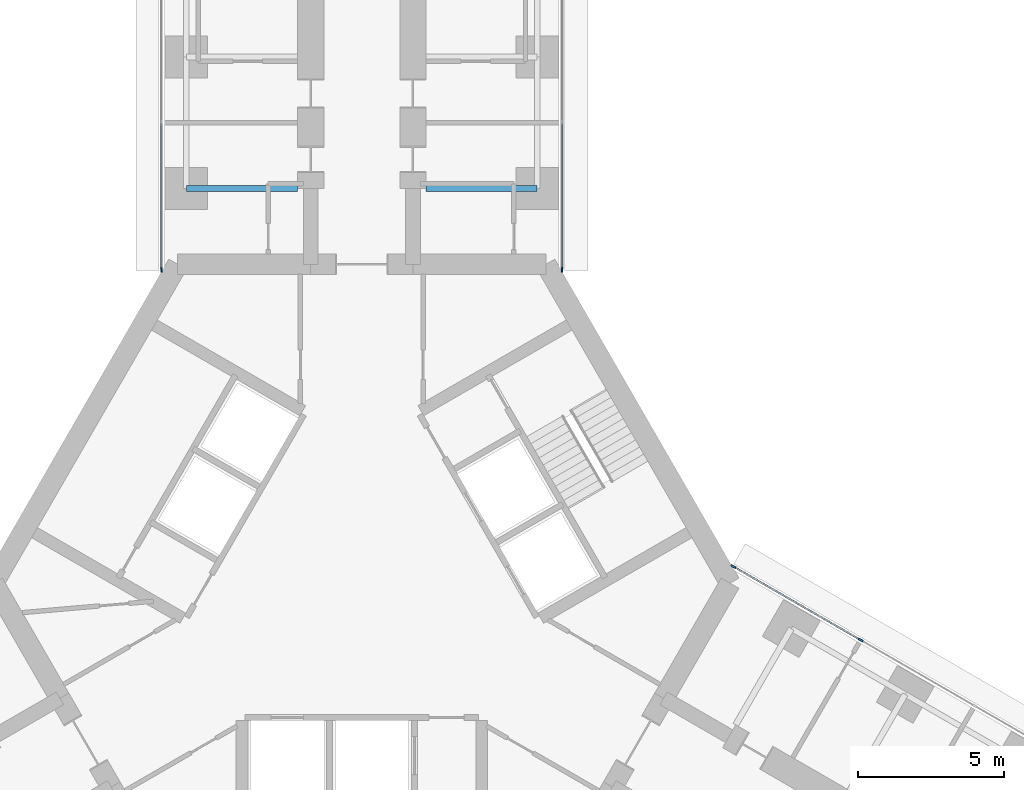
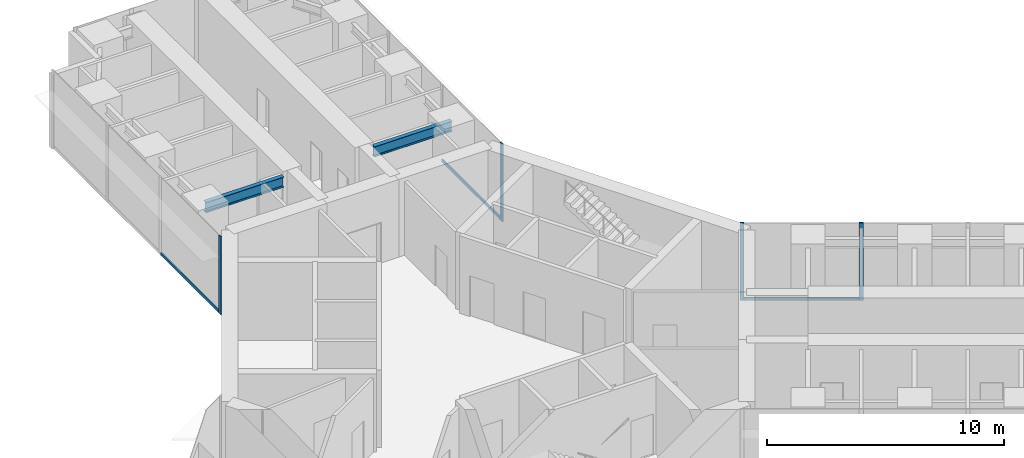
# One storey, part 11 of 24: 7 members, 2 beams, 3 elements without a shape of their own.
"""IFC4 building model written with IfcOpenShell, lengths in metres."""

from ifc_helpers import new_model, si_unit, direction, frame, origin, origin_2d, place, context, subcontext, project, spatial, rectangle, i_section, extrude, material, material_profile, profile_set, type_object, element, aggregate, save


model = new_model("IFC4")

# Units and contexts
model_context = context("Model", 3, precision=1e-05, world=origin(), true_north=direction((0.0, 1.0)))
body_context = subcontext(model_context, "Body", "Model", "MODEL_VIEW")
ifc_project = project(units=[si_unit("LENGTHUNIT", "METRE"), si_unit("AREAUNIT", "SQUARE_METRE"), si_unit("VOLUMEUNIT", "CUBIC_METRE"), si_unit("PLANEANGLEUNIT", "RADIAN"), si_unit("MASSUNIT", "GRAM", prefix="KILO")], contexts=[model_context])

# Site, building, storey
site_placement = place(None, origin())
site = spatial("IfcSite", under=ifc_project, at=site_placement, CompositionType="ELEMENT")
building_placement = place(site_placement, origin())
building = spatial("IfcBuilding", under=site, at=building_placement, Name="Upepo Twin Towers", CompositionType="ELEMENT")
storey_placement = place(building_placement, frame((0.0, 0.0, 68.5)))
storey = spatial("IfcBuildingStorey", under=building, at=storey_placement, Name="L16", CompositionType="ELEMENT", Elevation=68.5)

# Beams
ifc_material_1 = material(Name="Steel S355", Category="steel")
ifc_material_profile_1 = material_profile(ifc_material_1, i_section(OverallWidth=0.209228515625, OverallDepth=0.533203125, WebThickness=0.010009765625, FlangeThickness=0.015625, FilletRadius=0.0126953125, at=origin_2d()), Name="UB 533x210x92")
ifc_profile_set_1 = profile_set([ifc_material_profile_1], Name="Steel S355")
beam_type = type_object("IfcBeamType", Name="Beam UB 533x210x92", PredefinedType="BEAM", material=ifc_profile_set_1)
for number, where, z_axis, x_axis, name in (
    (1, (52.5, -4.5, 3.533447265625), (1.0, 0.0, 0.0), (0.0, 1.0, 0.0), "T2 girder AL at 13.5"),
    (2, (64.5, -4.5, 3.533447265625), (-1.0, 0.0, 0.0), (0.0, -1.0, 0.0), "T2 girder AR at 13.5"),
):
    element("IfcBeam", number, at=place(storey_placement, frame(where, z_axis=z_axis, x_axis=x_axis)), inside=storey, type_object=beam_type, Name=name, PredefinedType="BEAM", context=body_context, shape_type="SweptSolid", body=[
        extrude(i_section(OverallWidth=0.209228515625, OverallDepth=0.533203125, WebThickness=0.010009765625, FlangeThickness=0.015625, FilletRadius=0.0126953125, at=origin_2d()), origin(), (0.0, 0.0, 1.0), 3.800048828125),
    ])

# Curtain wall, member
ifc_material_2 = material(Name="Aluminium and fritted glass", Category="aluminium")
curtain_wall_type = type_object("IfcCurtainWallType", Name="Tower curtain wall TW1, fritted glass", PredefinedType="NOTDEFINED", material=ifc_material_2)
curtain_wall_1_placement = place(storey_placement, origin())
curtain_wall_1 = element("IfcCurtainWall", 3, at=curtain_wall_1_placement, inside=storey, type_object=curtain_wall_type, Name="T2 L16 wing A flank L curtain wall", PredefinedType="NOTDEFINED")
ifc_material_3 = material(Name="Aluminium mullion", Category="aluminium")
ifc_material_profile_2 = material_profile(ifc_material_3, rectangle(XDim=0.06494140625, YDim=0.179931640625, at=origin_2d()), Name="MULLION 65x180")
ifc_profile_set_2 = profile_set([ifc_material_profile_2], Name="Aluminium mullion")
member_type_1 = type_object("IfcMemberType", Name="Mullion 65x180 TW1", PredefinedType="MULLION", material=ifc_profile_set_2)
member_1_placement = place(storey_placement, frame((51.64990234375, -7.2802734375, 0.0), z_axis=(0.0, 0.0, 1.0), x_axis=(-1.0, 0.0, 0.0)))
member_1 = element("IfcMember", 4, at=member_1_placement, type_object=member_type_1, Name="T2 L16 wing A flank L curtain wall mullion 1", PredefinedType="MULLION", context=body_context, shape_type="SweptSolid", body=[
    extrude(rectangle(XDim=0.06494140625, YDim=0.179931640625, at=origin_2d()), origin(), (0.0, 0.0, 1.0), 4.0),
])

curtain_wall_2_placement = place(storey_placement, origin())
curtain_wall_2 = element("IfcCurtainWall", 5, at=curtain_wall_2_placement, inside=storey, type_object=curtain_wall_type, Name="T2 L16 wing A flank R curtain wall", PredefinedType="NOTDEFINED")
member_2_placement = place(storey_placement, frame((65.35009765625, -7.2802734375, 0.0), z_axis=(0.0, 0.0, 1.0), x_axis=(1.0, 0.0, 0.0)))
member_2 = element("IfcMember", 6, at=member_2_placement, type_object=member_type_1, Name="T2 L16 wing A flank R curtain wall mullion 4", PredefinedType="MULLION", context=body_context, shape_type="SweptSolid", body=[
    extrude(rectangle(XDim=0.06494140625, YDim=0.179931640625, at=origin_2d()), origin(), (0.0, 0.0, 1.0), 4.0),
])

# Curtain wall, members
curtain_wall_3_placement = place(storey_placement, origin())
curtain_wall_3 = element("IfcCurtainWall", 7, at=curtain_wall_3_placement, inside=storey, type_object=curtain_wall_type, Name="T2 L16 wing C flank L curtain wall", PredefinedType="NOTDEFINED")
member_3_placement = place(storey_placement, frame((71.20849609375, -17.427490234375, 0.0), z_axis=(0.0, 0.0, 1.0), x_axis=(0.500000024426, 0.866025389682, 0.0)))
member_3 = element("IfcMember", 8, at=member_3_placement, type_object=member_type_1, Name="T2 L16 wing C flank L curtain wall mullion 1", PredefinedType="MULLION", context=body_context, shape_type="SweptSolid", body=[
    extrude(rectangle(XDim=0.06494140625, YDim=0.179931640625, at=origin_2d()), origin(), (0.0, 0.0, 1.0), 4.0),
])
member_4_placement = place(storey_placement, frame((75.56494140625, -19.942626953125, 0.0), z_axis=(0.0, 0.0, 1.0), x_axis=(0.500000024426, 0.866025389682, 0.0)))
member_4 = element("IfcMember", 9, at=member_4_placement, type_object=member_type_1, Name="T2 L16 wing C flank L curtain wall mullion 2", PredefinedType="MULLION", context=body_context, shape_type="SweptSolid", body=[
    extrude(rectangle(XDim=0.06494140625, YDim=0.179931640625, at=origin_2d()), origin(), (0.0, 0.0, 1.0), 4.0),
])

# Member
ifc_material_4 = material(Name="Aluminium transom", Category="aluminium")
ifc_material_profile_3 = material_profile(ifc_material_4, rectangle(XDim=0.06494140625, YDim=0.14990234375, at=origin_2d()), Name="TRANSOM 65x150")
ifc_profile_set_3 = profile_set([ifc_material_profile_3], Name="Aluminium transom")
member_type_2 = type_object("IfcMemberType", Name="Transom 65x150 TW1", PredefinedType="USERDEFINED", material=ifc_profile_set_3)
member_5_placement = place(storey_placement, frame((51.64990234375, -7.247802734375, 0.074951171875), z_axis=(0.0, 1.0, 0.0), x_axis=(-1.0, 0.0, 0.0)))
member_5 = element("IfcMember", 10, at=member_5_placement, type_object=member_type_2, Name="T2 L16 wing A flank L curtain wall transom 1", ObjectType="TRANSOM", PredefinedType="USERDEFINED", context=body_context, shape_type="SweptSolid", body=[
    extrude(rectangle(XDim=0.06494140625, YDim=0.14990234375, at=origin_2d()), origin(), (0.0, 0.0, 1.0), 4.96533203125),
])

aggregate(curtain_wall_1, [member_1, member_5])

member_6_placement = place(storey_placement, frame((65.35009765625, -2.282470703125, 0.074951171875), z_axis=(0.0, -1.0, 0.0), x_axis=(1.0, 0.0, 0.0)))
member_6 = element("IfcMember", 11, at=member_6_placement, type_object=member_type_2, Name="T2 L16 wing A flank R curtain wall transom 3", ObjectType="TRANSOM", PredefinedType="USERDEFINED", context=body_context, shape_type="SweptSolid", body=[
    extrude(rectangle(XDim=0.06494140625, YDim=0.14990234375, at=origin_2d()), origin(), (0.0, 0.0, 1.0), 4.96533203125),
])

aggregate(curtain_wall_2, [member_2, member_6])

member_7_placement = place(storey_placement, frame((71.236572265625, -17.44384765625, 0.074951171875), z_axis=(0.866034933967, -0.499983492876, 0.0), x_axis=(0.499983492876, 0.866034933967, 0.0)))
member_7 = element("IfcMember", 12, at=member_7_placement, type_object=member_type_2, Name="T2 L16 wing C flank L curtain wall transom 1", ObjectType="TRANSOM", PredefinedType="USERDEFINED", context=body_context, shape_type="SweptSolid", body=[
    extrude(rectangle(XDim=0.06494140625, YDim=0.14990234375, at=origin_2d()), origin(), (0.0, 0.0, 1.0), 4.965576171875),
])

aggregate(curtain_wall_3, [member_3, member_4, member_7])

save(model, "model.ifc")
